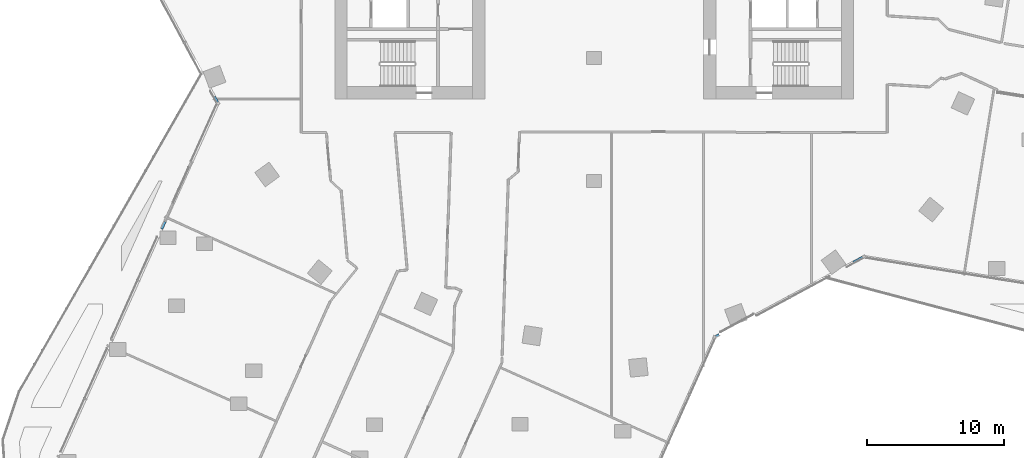
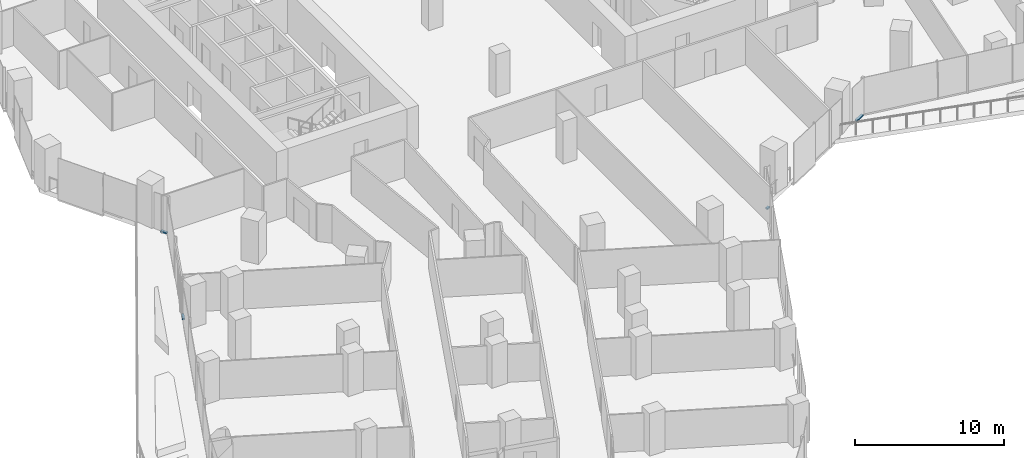
# One storey, part 13 of 32: 4 members, 3 elements without a shape of their own.
"""IFC4 building model written with IfcOpenShell, lengths in metres."""

from ifc_helpers import new_model, si_unit, direction, frame, origin, origin_2d, place, context, subcontext, project, spatial, rectangle, extrude, material, material_profile, profile_set, type_object, element, aggregate, save


model = new_model("IFC4")

# Units and contexts
model_context = context("Model", 3, precision=1e-05, world=origin(), true_north=direction((0.0, 1.0)))
body_context = subcontext(model_context, "Body", "Model", "MODEL_VIEW")
ifc_project = project(units=[si_unit("LENGTHUNIT", "METRE"), si_unit("AREAUNIT", "SQUARE_METRE"), si_unit("VOLUMEUNIT", "CUBIC_METRE"), si_unit("PLANEANGLEUNIT", "RADIAN"), si_unit("MASSUNIT", "GRAM", prefix="KILO")], contexts=[model_context])

# Site, building, storey
site_placement = place(None, origin())
site = spatial("IfcSite", under=ifc_project, at=site_placement, CompositionType="ELEMENT")
building_placement = place(site_placement, origin())
building = spatial("IfcBuilding", under=site, at=building_placement, Name="Orlundy Tower", CompositionType="ELEMENT")
storey_placement = place(building_placement, frame((0.0, 0.0, 123.699951171875)))
storey = spatial("IfcBuildingStorey", under=building, at=storey_placement, Name="L31", CompositionType="ELEMENT", Elevation=123.699951171875)

# Curtain wall, member
ifc_material_1 = material(Name="Aluminium bronze anodised", Category="aluminium")
curtain_wall_type = type_object("IfcCurtainWallType", Name="CW1 wall", PredefinedType="NOTDEFINED", material=ifc_material_1)
curtain_wall_1_placement = place(storey_placement, origin())
curtain_wall_1 = element("IfcCurtainWall", 1, at=curtain_wall_1_placement, inside=storey, type_object=curtain_wall_type, Name="CW1 run 00", PredefinedType="NOTDEFINED")
ifc_material_2 = material(Name="Aluminium bronze anodised", Category="aluminium")
ifc_material_profile = material_profile(ifc_material_2, rectangle(XDim=0.179931640625, YDim=0.1201171875, at=origin_2d()), Name="CW1 transom 180x120")
ifc_profile_set = profile_set([ifc_material_profile], Name="Aluminium bronze anodised")
member_type = type_object("IfcMemberType", Name="CW1 transom 180x120", PredefinedType="USERDEFINED", material=ifc_profile_set)
member_1_placement = place(storey_placement, frame((-31.67431640625, -21.51611328125, 0.06005859375), z_axis=(0.409527613263, 0.912297722224, 0.0), x_axis=(-0.912297722224, 0.409527613263, 0.0)))
member_1 = element("IfcMember", 2, at=member_1_placement, type_object=member_type, Name="CW1 transom", ObjectType="TRANSOM", PredefinedType="USERDEFINED", context=body_context, shape_type="SweptSolid", body=[
    extrude(rectangle(XDim=0.179931640625, YDim=0.1201171875, at=origin_2d()), origin(), (0.0, 0.0, 1.0), 0.594482421875),
])
aggregate(curtain_wall_1, [member_1])

curtain_wall_2_placement = place(storey_placement, origin())
curtain_wall_2 = element("IfcCurtainWall", 3, at=curtain_wall_2_placement, inside=storey, type_object=curtain_wall_type, Name="CW1 run 01", PredefinedType="NOTDEFINED")
member_2_placement = place(storey_placement, frame((-27.587890625, -12.2353515625, 0.06005859375), z_axis=(-0.474670921873, 0.880163346163, 0.0), x_axis=(-0.880163346163, -0.474670921873, 0.0)))
member_2 = element("IfcMember", 4, at=member_2_placement, type_object=member_type, Name="CW1 transom", ObjectType="TRANSOM", PredefinedType="USERDEFINED", context=body_context, shape_type="SweptSolid", body=[
    extrude(rectangle(XDim=0.179931640625, YDim=0.1201171875, at=origin_2d()), origin(), (0.0, 0.0, 1.0), 0.458740234375),
])
aggregate(curtain_wall_2, [member_2])

# Curtain wall, members
curtain_wall_3_placement = place(storey_placement, origin())
curtain_wall_3 = element("IfcCurtainWall", 5, at=curtain_wall_3_placement, inside=storey, type_object=curtain_wall_type, Name="CW1 run 017", PredefinedType="NOTDEFINED")
member_3_placement = place(storey_placement, frame((19.669677734375, -23.579345703125, 0.06005859375), z_axis=(-0.880151896636, -0.47469215166, 0.0), x_axis=(0.47469215166, -0.880151896636, 0.0)))
member_3 = element("IfcMember", 6, at=member_3_placement, type_object=member_type, Name="CW1 transom", ObjectType="TRANSOM", PredefinedType="USERDEFINED", context=body_context, shape_type="SweptSolid", body=[
    extrude(rectangle(XDim=0.179931640625, YDim=0.1201171875, at=origin_2d()), origin(), (0.0, 0.0, 1.0), 0.786376953125),
])
member_4_placement = place(storey_placement, frame((9.142822265625, -29.255615234375, -0.33984375), z_axis=(-0.880201497798, -0.474600172012, 0.0), x_axis=(0.474600172012, -0.880201497798, 0.0)))
member_4 = element("IfcMember", 7, at=member_4_placement, type_object=member_type, Name="CW1 transom", ObjectType="TRANSOM", PredefinedType="USERDEFINED", context=body_context, shape_type="SweptSolid", body=[
    extrude(rectangle(XDim=0.179931640625, YDim=0.1201171875, at=origin_2d()), origin(), (0.0, 0.0, 1.0), 0.26171875),
])
aggregate(curtain_wall_3, [member_3, member_4])

save(model, "model.ifc")
